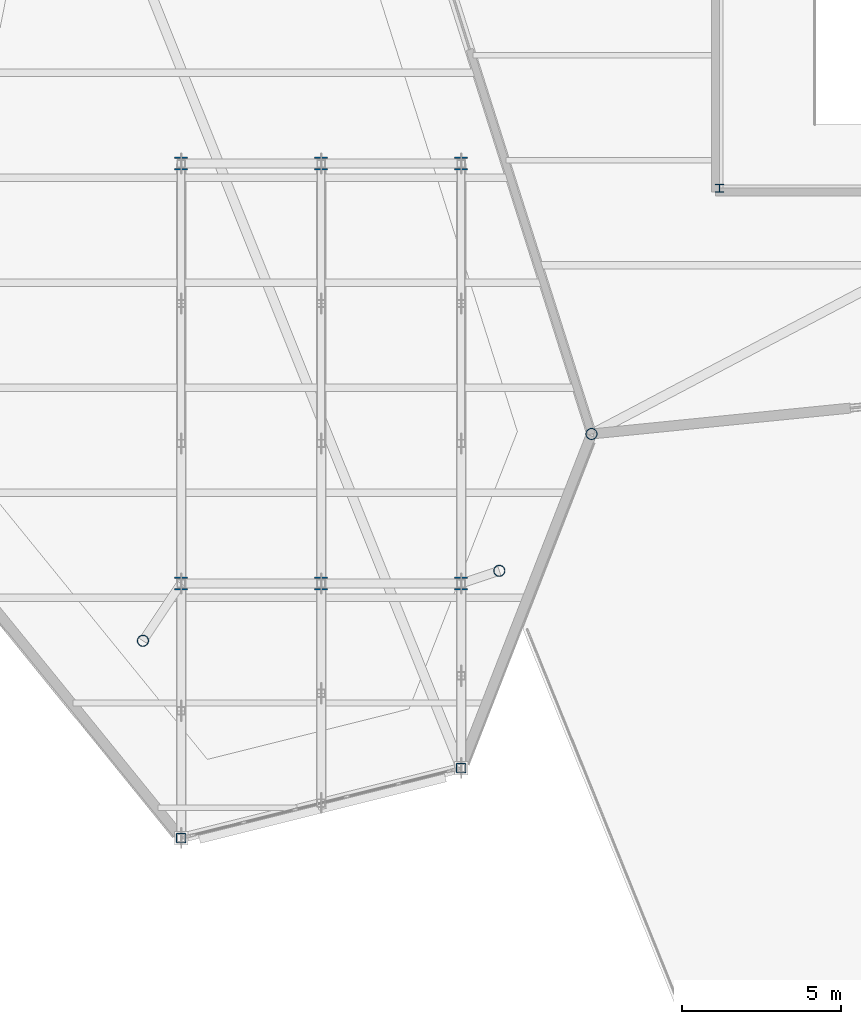
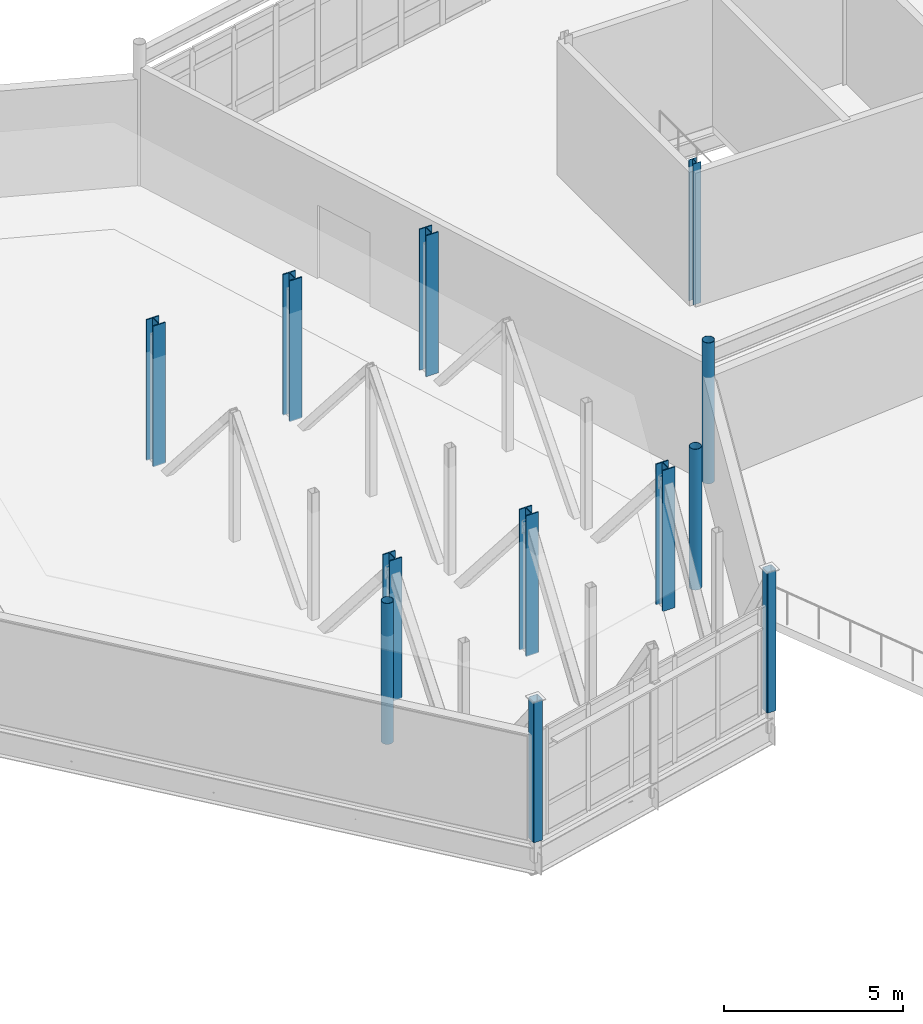
# One storey, part 16 of 114: 12 columns.
"""IFC4 building model written with IfcOpenShell, lengths in metres."""

from ifc_helpers import new_model, si_unit, direction, frame, origin, origin_2d, place, context, subcontext, project, spatial, hollow_rectangle, hollow_circle, i_section, extrude, material, material_profile, profile_set, type_object, element, save


model = new_model("IFC4")

# Units and contexts
model_context = context("Model", 3, precision=1e-05, world=origin(), true_north=direction((0.0, 1.0)))
body_context = subcontext(model_context, "Body", "Model", "MODEL_VIEW")
ifc_project = project(units=[si_unit("LENGTHUNIT", "METRE"), si_unit("AREAUNIT", "SQUARE_METRE"), si_unit("VOLUMEUNIT", "CUBIC_METRE"), si_unit("PLANEANGLEUNIT", "RADIAN"), si_unit("MASSUNIT", "GRAM", prefix="KILO")], contexts=[model_context])

# Site, building, storey
site_placement = place(None, origin())
site = spatial("IfcSite", under=ifc_project, at=site_placement, CompositionType="ELEMENT")
building_placement = place(site_placement, origin())
building = spatial("IfcBuilding", under=site, at=building_placement, Name="Tameran Prism Museum", CompositionType="ELEMENT")
storey_placement = place(building_placement, frame((0.0, 0.0, 10.199951171875)))
storey = spatial("IfcBuildingStorey", under=building, at=storey_placement, Name="L02", CompositionType="ELEMENT", Elevation=10.199951171875)

# Columns
ifc_material_1 = material(Name="Steel Grade C350L0 (350 MPa)", Category="steel")
ifc_material_profile_1 = material_profile(ifc_material_1, hollow_circle(Radius=0.177734375, WallThickness=0.0126953125, at=origin_2d()))
ifc_profile_set_1 = profile_set([ifc_material_profile_1])
column_type_1 = type_object("IfcColumnType", Name="COL-CHS355", PredefinedType="COLUMN", material=ifc_profile_set_1)
for number, where, z_axis, x_axis, name in (
    (1, (129.89990234375, 15.699951171875, 0.0), (0.0, 0.0, 1.0), (1.0, 0.0, 0.0), "Column CV-52 L02"),
    (2, (141.10009765625, 17.89990234375, 0.0), (0.0, 0.0, 1.0), (1.0, 0.0, 0.0), "Column CV-59 L02"),
    (3, (144.0, 22.199951171875, 0.0), (0.0, 0.0, 1.0), (1.0, 0.0, 0.0), "Column CV-61 L02"),
):
    element("IfcColumn", number, at=place(storey_placement, frame(where, z_axis=z_axis, x_axis=x_axis)), inside=storey, type_object=column_type_1, Name=name, PredefinedType="COLUMN", context=body_context, shape_type="SweptSolid", body=[
        extrude(hollow_circle(Radius=0.177734375, WallThickness=0.0126953125, at=origin_2d()), origin(), (0.0, 0.0, 1.0), 4.800048828125),
    ])
ifc_material_2 = material(Name="Steel Grade C350L0 (350 MPa)", Category="steel")
ifc_material_profile_2 = material_profile(ifc_material_2, hollow_rectangle(XDim=0.300048828125, YDim=0.300048828125, WallThickness=0.012451171875, InnerFilletRadius=0.0185546875, OuterFilletRadius=0.031005859375, at=origin_2d()))
ifc_profile_set_2 = profile_set([ifc_material_profile_2])
column_type_2 = type_object("IfcColumnType", Name="COL-SHS300", PredefinedType="COLUMN", material=ifc_profile_set_2)
for number, where, z_axis, x_axis, name in (
    (4, (131.10009765625, 9.5, 0.0), (0.0, 0.0, 1.0), (1.0, 0.0, 0.0), "Column CV-53 L02"),
    (5, (139.89990234375, 11.699951171875, 0.0), (0.0, 0.0, 1.0), (1.0, 0.0, 0.0), "Column CV-58 L02"),
):
    element("IfcColumn", number, at=place(storey_placement, frame(where, z_axis=z_axis, x_axis=x_axis)), inside=storey, type_object=column_type_2, Name=name, PredefinedType="COLUMN", context=body_context, shape_type="SweptSolid", body=[
        extrude(hollow_rectangle(XDim=0.300048828125, YDim=0.300048828125, WallThickness=0.012451171875, InnerFilletRadius=0.0185546875, OuterFilletRadius=0.031005859375, at=origin_2d()), origin(), (0.0, 0.0, 1.0), 4.800048828125),
    ])
ifc_material_3 = material(Name="Steel Grade 300PLUS (300 MPa)", Category="steel")
ifc_material_profile_3 = material_profile(ifc_material_3, i_section(OverallWidth=0.25390625, OverallDepth=0.25390625, WebThickness=0.008544921875, FlangeThickness=0.01416015625, FilletRadius=0.0126953125, at=origin_2d()))
ifc_profile_set_3 = profile_set([ifc_material_profile_3])
column_type_3 = type_object("IfcColumnType", Name="COL-UC250B", PredefinedType="COLUMN", material=ifc_profile_set_3)
column_placement = place(storey_placement, frame((148.02001953125, 29.919921875, 0.0), z_axis=(0.0, 0.0, 1.0), x_axis=(1.0, 0.0, 0.0)))
element("IfcColumn", 6, at=column_placement, inside=storey, type_object=column_type_3, Name="Column CC-13-1 L02", PredefinedType="COLUMN", context=body_context, shape_type="SweptSolid", body=[
    extrude(i_section(OverallWidth=0.25390625, OverallDepth=0.25390625, WebThickness=0.008544921875, FlangeThickness=0.01416015625, FilletRadius=0.0126953125, at=origin_2d()), origin(), (0.0, 0.0, 1.0), 4.800048828125),
])
ifc_material_4 = material(Name="Steel Grade 350 (350 MPa)", Category="steel")
ifc_material_profile_4 = material_profile(ifc_material_4, i_section(OverallWidth=0.39990234375, OverallDepth=0.39990234375, WebThickness=0.02197265625, FlangeThickness=0.035888671875, at=origin_2d()))
ifc_profile_set_4 = profile_set([ifc_material_profile_4])
column_type_4 = type_object("IfcColumnType", Name="COL-WC400", PredefinedType="COLUMN", material=ifc_profile_set_4)
for number, where, z_axis, x_axis, name in (
    (7, (131.10009765625, 17.5, 0.0), (0.0, 0.0, 1.0), (1.0, 0.0, 0.0), "Column CT-1F L02"),
    (8, (131.10009765625, 30.699951171875, 0.0), (0.0, 0.0, 1.0), (1.0, 0.0, 0.0), "Column CT-1A L02"),
    (9, (135.5, 17.5, 0.0), (0.0, 0.0, 1.0), (1.0, 0.0, 0.0), "Column CT-2F L02"),
    (10, (135.5, 30.699951171875, 0.0), (0.0, 0.0, 1.0), (1.0, 0.0, 0.0), "Column CT-2A L02"),
    (11, (139.89990234375, 17.5, 0.0), (0.0, 0.0, 1.0), (1.0, 0.0, 0.0), "Column CT-3F L02"),
    (12, (139.89990234375, 30.699951171875, 0.0), (0.0, 0.0, 1.0), (1.0, 0.0, 0.0), "Column CT-3A L02"),
):
    element("IfcColumn", number, at=place(storey_placement, frame(where, z_axis=z_axis, x_axis=x_axis)), inside=storey, type_object=column_type_4, Name=name, PredefinedType="COLUMN", context=body_context, shape_type="SweptSolid", body=[
        extrude(i_section(OverallWidth=0.39990234375, OverallDepth=0.39990234375, WebThickness=0.02197265625, FlangeThickness=0.035888671875, at=origin_2d()), origin(), (0.0, 0.0, 1.0), 4.800048828125),
    ])

save(model, "model.ifc")
